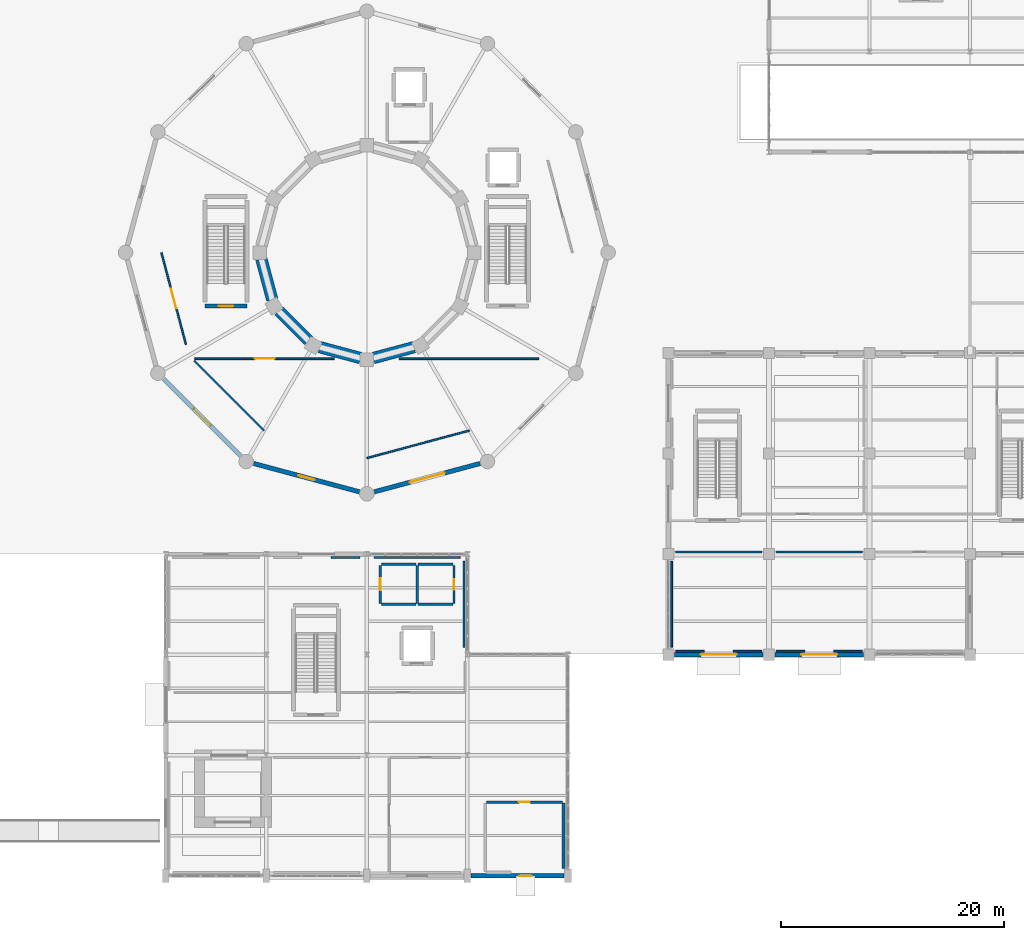
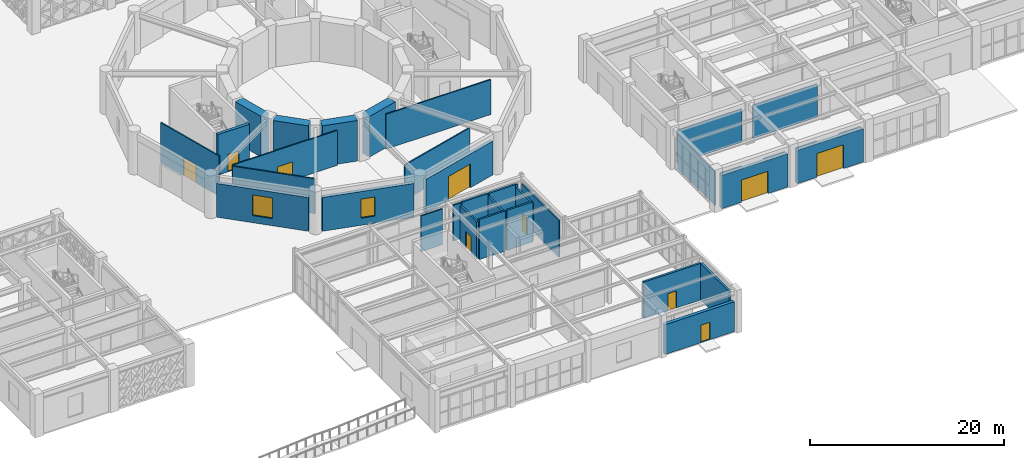
# One storey, part 116 of 140: 35 walls, 10 doors, 2 windows, 12 openings.
"""IFC4 building model written with IfcOpenShell, lengths in metres."""

from ifc_helpers import new_model, si_unit, direction, frame, frame_2d, origin, place, context, subcontext, project, spatial, rectangle, extrude, material, layer, layer_set, type_object, element, fill, save


model = new_model("IFC4")

# Units and contexts
model_context = context("Model", 3, precision=1e-05, world=origin(), true_north=direction((0.0, 1.0)))
body_context = subcontext(model_context, "Body", "Model", "MODEL_VIEW")
ifc_project = project(units=[si_unit("LENGTHUNIT", "METRE"), si_unit("AREAUNIT", "SQUARE_METRE"), si_unit("VOLUMEUNIT", "CUBIC_METRE"), si_unit("PLANEANGLEUNIT", "RADIAN"), si_unit("MASSUNIT", "GRAM", prefix="KILO")], contexts=[model_context])

# Site, building, storey
site_placement = place(None, origin())
site = spatial("IfcSite", under=ifc_project, at=site_placement, CompositionType="ELEMENT")
building_placement = place(site_placement, origin())
building = spatial("IfcBuilding", under=site, at=building_placement, Name="Haizhuo Lancet Aquarium", CompositionType="ELEMENT")
storey_placement = place(building_placement, origin())
storey = spatial("IfcBuildingStorey", under=building, at=storey_placement, Name="L00", CompositionType="ELEMENT", Elevation=0.0)

# Wall, opening, window
ifc_material_1 = material(Name="Shandong Grey Limestone Ashlar", Category="masonry")
ifc_layer_1 = layer(ifc_material_1, 0.39990234375)
ifc_layer_set_1 = layer_set([ifc_layer_1], Name="Shandong Grey Limestone Ashlar")
wall_type_1 = type_object("IfcWallType", Name="EWL-ASH-400", PredefinedType="SOLIDWALL", material=ifc_layer_set_1)
wall_1_placement = place(storey_placement, frame((-11.291015625, -18.215087890625, 0.0), z_axis=(0.0, 0.0, 1.0), x_axis=(-0.707106781187, 0.707106781187, 0.0)))
wall_1 = element("IfcWall", 1, at=wall_1_placement, inside=storey, type_object=wall_type_1, Name="L00 V1 limestone drum wall bay 8", PredefinedType="SOLIDWALL", context=body_context, shape_type="SweptSolid", body=[
    extrude(rectangle(XDim=9.792236328125, YDim=0.39990234375, at=frame_2d((4.89599609375, 0.0))), origin(), (0.0, 0.0, 1.0), 4.2548828125),
])
opening_1_placement = place(wall_1_placement, frame((3.845947265625, 0.0, 0.89990234375)))
opening_1 = element("IfcOpeningElement", 2, at=opening_1_placement, cuts=wall_1, Name="Opening WN-07", PredefinedType="OPENING", context=body_context, shape_type="SweptSolid", body=[
    extrude(rectangle(XDim=2.10009765625, YDim=2.60009765625, at=frame_2d((1.050048828125, 1.300048828125))), frame((0.0, 0.2099609375, 0.0), z_axis=(0.0, -1.0, 0.0), x_axis=(1.0, 0.0, 0.0)), (0.0, 0.0, 1.0), 0.419902),
])
ifc_material_2 = material(Name="Laminated Low-E Glass", Category="glass")
window_type_1 = type_object("IfcWindowType", Name="WIN-LAN-2100x2600", PartitioningType="SINGLE_PANEL", PredefinedType="WINDOW", material=ifc_material_2)
window_1_placement = place(opening_1_placement, origin())
window_1 = element("IfcWindow", 3, at=window_1_placement, inside=storey, type_object=window_type_1, Name="L00 Gothic lancet window 5", OverallHeight=2.60009765625, OverallWidth=2.10009765625, PartitioningType="SINGLE_PANEL", PredefinedType="WINDOW", context=body_context, shape_type="SweptSolid", body=[
    extrude(rectangle(XDim=2.10009765625, YDim=2.60009765625, at=frame_2d((1.050048828125, 1.300048828125))), frame((0.0, 0.030029296875, 0.0), z_axis=(0.0, -1.0, 0.0), x_axis=(1.0, 0.0, 0.0)), (0.0, 0.0, 1.0), 0.06005859375),
])
fill(opening_1, window_1)

wall_2_placement = place(storey_placement, frame((-0.6708984375, -21.419921875, 0.0), z_axis=(0.0, 0.0, 1.0), x_axis=(-0.965934251614, 0.258787599316, 0.0)))
wall_2 = element("IfcWall", 4, at=wall_2_placement, inside=storey, type_object=wall_type_1, Name="L00 V1 limestone drum wall bay 9", PredefinedType="SOLIDWALL", context=body_context, shape_type="SweptSolid", body=[
    extrude(rectangle(XDim=9.79150390625, YDim=0.39990234375, at=frame_2d((4.895751953125, 0.0))), origin(), (0.0, 0.0, 1.0), 4.2548828125),
])
opening_2_placement = place(wall_2_placement, frame((4.14599609375, 0.0, 0.89990234375)))
opening_2 = element("IfcOpeningElement", 5, at=opening_2_placement, cuts=wall_2, Name="Opening WN-04", PredefinedType="OPENING", context=body_context, shape_type="SweptSolid", body=[
    extrude(rectangle(XDim=1.5, YDim=2.39990234375, at=frame_2d((0.75, 1.199951171875))), frame((0.0, 0.2099609375, 0.0), z_axis=(0.0, -1.0, 0.0), x_axis=(1.0, 0.0, 0.0)), (0.0, 0.0, 1.0), 0.419902),
])
window_type_2 = type_object("IfcWindowType", Name="WIN-LAN-1500x2400", PartitioningType="SINGLE_PANEL", PredefinedType="WINDOW", material=ifc_material_2)
window_2_placement = place(opening_2_placement, origin())
window_2 = element("IfcWindow", 6, at=window_2_placement, inside=storey, type_object=window_type_2, Name="L00 Gothic lancet window 6", OverallHeight=2.39990234375, OverallWidth=1.5, PartitioningType="SINGLE_PANEL", PredefinedType="WINDOW", context=body_context, shape_type="SweptSolid", body=[
    extrude(rectangle(XDim=1.5, YDim=2.39990234375, at=frame_2d((0.75, 1.199951171875))), frame((0.0, 0.030029296875, 0.0), z_axis=(0.0, -1.0, 0.0), x_axis=(1.0, 0.0, 0.0)), (0.0, 0.0, 1.0), 0.06005859375),
])
fill(opening_2, window_2)

# Wall, opening, door
wall_3_placement = place(storey_placement, frame((10.12890625, -18.885986328125, 0.0), z_axis=(0.0, 0.0, 1.0), x_axis=(-0.965934251614, -0.258787599316, 0.0)))
wall_3 = element("IfcWall", 7, at=wall_3_placement, inside=storey, type_object=wall_type_1, Name="L00 V1 limestone drum wall bay 10", PredefinedType="SOLIDWALL", context=body_context, shape_type="SweptSolid", body=[
    extrude(rectangle(XDim=9.79150390625, YDim=0.39990234375, at=frame_2d((4.895751953125, 0.0))), origin(), (0.0, 0.0, 1.0), 4.2548828125),
])
opening_3_placement = place(wall_3_placement, frame((3.2958984375, 0.0, 0.0)))
opening_3 = element("IfcOpeningElement", 8, at=opening_3_placement, cuts=wall_3, Name="Opening ED-A", PredefinedType="OPENING", context=body_context, shape_type="SweptSolid", body=[
    extrude(rectangle(XDim=3.199951171875, YDim=3.0, at=frame_2d((1.60009765625, 1.5))), frame((0.0, 0.2099609375, 0.0), z_axis=(0.0, -1.0, 0.0), x_axis=(1.0, 0.0, 0.0)), (0.0, 0.0, 1.0), 0.419902),
])
ifc_material_3 = material(Name="Aluminium 6063-T6", Category="aluminium")
door_type_1 = type_object("IfcDoorType", Name="EDR-PORTAL-3200x3000", OperationType="NOTDEFINED", PredefinedType="DOOR", material=ifc_material_3)
door_1_placement = place(opening_3_placement, origin())
door_1 = element("IfcDoor", 9, at=door_1_placement, inside=storey, type_object=door_type_1, Name="Pedestrian entrance portal ED-01", OperationType="DOUBLE_DOOR_SINGLE_SWING", OverallHeight=3.0, OverallWidth=3.199951171875, PredefinedType="DOOR", context=body_context, shape_type="SweptSolid", body=[
    extrude(rectangle(XDim=3.199951171875, YDim=3.0, at=frame_2d((1.60009765625, 1.5))), frame((0.0, 0.02490234375, 0.0), z_axis=(0.0, -1.0, 0.0), x_axis=(1.0, 0.0, 0.0)), (0.0, 0.0, 1.0), 0.050048828125),
])
fill(opening_3, door_1)

wall_4_placement = place(storey_placement, frame((44.455078125, -36.0, 0.0), z_axis=(0.0, 0.0, 1.0), x_axis=(-1.0, 0.0, 0.0)))
wall_4 = element("IfcWall", 10, at=wall_4_placement, inside=storey, type_object=wall_type_1, Name="L00 V3 pointed-arch limestone entrance portal wall", PredefinedType="SOLIDWALL", context=body_context, shape_type="SweptSolid", body=[
    extrude(rectangle(XDim=7.91015625, YDim=0.39990234375, at=frame_2d((3.955078125, 0.0))), origin(), (0.0, 0.0, 1.0), 4.205078125),
])
opening_4_placement = place(wall_4_placement, frame((2.35498046875, 0.0, 0.0)))
opening_4 = element("IfcOpeningElement", 11, at=opening_4_placement, cuts=wall_4, Name="Opening ED-A", PredefinedType="OPENING", context=body_context, shape_type="SweptSolid", body=[
    extrude(rectangle(XDim=3.199951171875, YDim=3.0, at=frame_2d((1.60009765625, 1.5))), frame((0.0, 0.2099609375, 0.0), z_axis=(0.0, -1.0, 0.0), x_axis=(1.0, 0.0, 0.0)), (0.0, 0.0, 1.0), 0.419902),
])
door_2_placement = place(opening_4_placement, origin())
door_2 = element("IfcDoor", 12, at=door_2_placement, inside=storey, type_object=door_type_1, Name="Ground pedestrian entrance portal ED-11", OperationType="DOUBLE_DOOR_SINGLE_SWING", OverallHeight=3.0, OverallWidth=3.199951171875, PredefinedType="DOOR", context=body_context, shape_type="SweptSolid", body=[
    extrude(rectangle(XDim=3.199951171875, YDim=3.0, at=frame_2d((1.60009765625, 1.5))), frame((0.0, 0.02490234375, 0.0), z_axis=(0.0, -1.0, 0.0), x_axis=(1.0, 0.0, 0.0)), (0.0, 0.0, 1.0), 0.050048828125),
])
fill(opening_4, door_2)

wall_5_placement = place(storey_placement, frame((35.455078125, -36.0, 0.0), z_axis=(0.0, 0.0, 1.0), x_axis=(-1.0, 0.0, 0.0)))
wall_5 = element("IfcWall", 13, at=wall_5_placement, inside=storey, type_object=wall_type_1, Name="L00 V3 pointed-arch limestone entrance portal wall", PredefinedType="SOLIDWALL", context=body_context, shape_type="SweptSolid", body=[
    extrude(rectangle(XDim=7.91015625, YDim=0.39990234375, at=frame_2d((3.955078125, 0.0))), origin(), (0.0, 0.0, 1.0), 4.205078125),
])
opening_5_placement = place(wall_5_placement, frame((2.35498046875, 0.0, 0.0)))
opening_5 = element("IfcOpeningElement", 14, at=opening_5_placement, cuts=wall_5, Name="Opening ED-B", PredefinedType="OPENING", context=body_context, shape_type="SweptSolid", body=[
    extrude(rectangle(XDim=3.199951171875, YDim=2.800048828125, at=frame_2d((1.60009765625, 1.39990234375))), frame((0.0, 0.2099609375, 0.0), z_axis=(0.0, -1.0, 0.0), x_axis=(1.0, 0.0, 0.0)), (0.0, 0.0, 1.0), 0.419902),
])
door_type_2 = type_object("IfcDoorType", Name="EDR-PORTAL-3200x2800", OperationType="NOTDEFINED", PredefinedType="DOOR", material=ifc_material_3)
door_3_placement = place(opening_5_placement, origin())
door_3 = element("IfcDoor", 15, at=door_3_placement, inside=storey, type_object=door_type_2, Name="Ground pedestrian entrance portal ED-12", OperationType="DOUBLE_DOOR_SINGLE_SWING", OverallHeight=2.800048828125, OverallWidth=3.199951171875, PredefinedType="DOOR", context=body_context, shape_type="SweptSolid", body=[
    extrude(rectangle(XDim=3.199951171875, YDim=2.800048828125, at=frame_2d((1.60009765625, 1.39990234375))), frame((0.0, 0.02490234375, 0.0), z_axis=(0.0, -1.0, 0.0), x_axis=(1.0, 0.0, 0.0)), (0.0, 0.0, 1.0), 0.050048828125),
])
fill(opening_5, door_3)

wall_6_placement = place(storey_placement, frame((17.655029296875, -55.800048828125, 0.0), z_axis=(0.0, 0.0, 1.0), x_axis=(-1.0, 0.0, 0.0)))
wall_6 = element("IfcWall", 16, at=wall_6_placement, inside=storey, type_object=wall_type_1, Name="L00 Fire Control Room exterior wall", PredefinedType="SOLIDWALL", context=body_context, shape_type="SweptSolid", body=[
    extrude(rectangle(XDim=8.31005859375, YDim=0.39990234375, at=frame_2d((4.155029296875, 0.0))), origin(), (0.0, 0.0, 1.0), 3.7548828125),
])
opening_6_placement = place(wall_6_placement, frame((2.905029296875, 0.0, 0.0)))
opening_6 = element("IfcOpeningElement", 17, at=opening_6_placement, cuts=wall_6, Name="Opening EX-03", PredefinedType="OPENING", context=body_context, shape_type="SweptSolid", body=[
    extrude(rectangle(XDim=1.10009765625, YDim=2.199951171875, at=frame_2d((0.550048828125, 1.10009765625))), frame((0.0, 0.2099609375, 0.0), z_axis=(0.0, -1.0, 0.0), x_axis=(1.0, 0.0, 0.0)), (0.0, 0.0, 1.0), 0.419902),
])
ifc_material_4 = material(Name="Steel S355", Category="steel")
door_type_3 = type_object("IfcDoorType", Name="EDR-FCR-1100x2200", OperationType="NOTDEFINED", PredefinedType="DOOR", material=ifc_material_4)
door_4_placement = place(opening_6_placement, origin())
door_4 = element("IfcDoor", 18, at=door_4_placement, inside=storey, type_object=door_type_3, Name="Fire Control Room direct exterior exit door", OperationType="SINGLE_SWING_LEFT", OverallHeight=2.199951171875, OverallWidth=1.10009765625, PredefinedType="DOOR", context=body_context, shape_type="SweptSolid", body=[
    extrude(rectangle(XDim=1.10009765625, YDim=2.199951171875, at=frame_2d((0.550048828125, 1.10009765625))), frame((0.0, 0.02490234375, 0.0), z_axis=(0.0, -1.0, 0.0), x_axis=(1.0, 0.0, 0.0)), (0.0, 0.0, 1.0), 0.050048828125),
])
fill(opening_6, door_4)

# Wall
ifc_material_5 = material(Name="Concrete C40/50", Category="concrete")
ifc_layer_2 = layer(ifc_material_5, 0.239990234375)
ifc_layer_set_2 = layer_set([ifc_layer_2], Name="Concrete C40/50")
wall_type_2 = type_object("IfcWallType", Name="IWL-FIRE-240", PredefinedType="PARTITIONING", material=ifc_layer_set_2)
wall_7_placement = place(storey_placement, frame((17.60009765625, -55.14990234375, 0.0), z_axis=(0.0, 0.0, 1.0), x_axis=(0.0, 1.0, 0.0)))
element("IfcWall", 19, at=wall_7_placement, inside=storey, type_object=wall_type_2, Name="L00 partition wall 139", PredefinedType="PARTITIONING", context=body_context, shape_type="SweptSolid", body=[
    extrude(rectangle(XDim=5.849853515625, YDim=0.239990234375, at=frame_2d((2.9248046875, 0.0))), origin(), (0.0, 0.0, 1.0), 4.616943359375),
])

# Wall, opening, door
wall_8_placement = place(storey_placement, frame((17.5, -49.199951171875, 0.0), z_axis=(0.0, 0.0, 1.0), x_axis=(-1.0, 0.0, 0.0)))
wall_8 = element("IfcWall", 20, at=wall_8_placement, inside=storey, type_object=wall_type_2, Name="L00 partition wall 140", PredefinedType="PARTITIONING", context=body_context, shape_type="SweptSolid", body=[
    extrude(rectangle(XDim=6.800048828125, YDim=0.239990234375, at=frame_2d((3.39990234375, 0.0))), origin(), (0.0, 0.0, 1.0), 4.616943359375),
])
opening_7_placement = place(wall_8_placement, frame((2.89990234375, 0.0, 0.0)))
opening_7 = element("IfcOpeningElement", 21, at=opening_7_placement, cuts=wall_8, Name="Opening D-06", PredefinedType="OPENING", context=body_context, shape_type="SweptSolid", body=[
    extrude(rectangle(XDim=1.0, YDim=2.14990234375, at=frame_2d((0.5, 1.074951171875))), frame((0.0, 0.1298828125, 0.0), z_axis=(0.0, -1.0, 0.0), x_axis=(1.0, 0.0, 0.0)), (0.0, 0.0, 1.0), 0.25999),
])
door_type_4 = type_object("IfcDoorType", Name="IDR-OFF-1000x2150", OperationType="NOTDEFINED", PredefinedType="DOOR", material=ifc_material_3)
door_5_placement = place(opening_7_placement, origin())
door_5 = element("IfcDoor", 22, at=door_5_placement, inside=storey, type_object=door_type_4, Name="L00 Fire Control Room door", OperationType="SINGLE_SWING_LEFT", OverallHeight=2.14990234375, OverallWidth=1.0, PredefinedType="DOOR", context=body_context, shape_type="SweptSolid", body=[
    extrude(rectangle(XDim=1.0, YDim=2.14990234375, at=frame_2d((0.5, 1.074951171875))), frame((0.0, 0.02490234375, 0.0), z_axis=(0.0, -1.0, 0.0), x_axis=(1.0, 0.0, 0.0)), (0.0, 0.0, 1.0), 0.050048828125),
])
fill(opening_7, door_5)

ifc_layer_3 = layer(ifc_material_5, 0.219970703125)
ifc_layer_set_3 = layer_set([ifc_layer_3], Name="Concrete C40/50")
wall_type_3 = type_object("IfcWallType", Name="IWL-PLB-220", PredefinedType="PLUMBINGWALL", material=ifc_layer_set_3)
wall_9_placement = place(storey_placement, frame((1.199951171875, -28.0, 0.0), z_axis=(0.0, 0.0, 1.0), x_axis=(0.0, -1.0, 0.0)))
wall_9 = element("IfcWall", 23, at=wall_9_placement, inside=storey, type_object=wall_type_3, Name="L00 partition wall 78", PredefinedType="PLUMBINGWALL", context=body_context, shape_type="SweptSolid", body=[
    extrude(rectangle(XDim=3.39990234375, YDim=0.219970703125, at=frame_2d((1.699951171875, 0.0))), origin(), (0.0, 0.0, 1.0), 4.705078125),
])
opening_8_placement = place(wall_9_placement, frame((1.175048828125, 0.0, 0.0)))
opening_8 = element("IfcOpeningElement", 24, at=opening_8_placement, cuts=wall_9, Name="Opening D-08", PredefinedType="OPENING", context=body_context, shape_type="SweptSolid", body=[
    extrude(rectangle(XDim=1.050048828125, YDim=2.14990234375, at=frame_2d((0.52490234375, 1.074951171875))), frame((0.0, 0.119873046875, 0.0), z_axis=(0.0, -1.0, 0.0), x_axis=(1.0, 0.0, 0.0)), (0.0, 0.0, 1.0), 0.239971),
])
door_type_5 = type_object("IfcDoorType", Name="IDR-AWC-1050x2150", OperationType="NOTDEFINED", PredefinedType="DOOR", material=ifc_material_3)
door_6_placement = place(opening_8_placement, origin())
door_6 = element("IfcDoor", 25, at=door_6_placement, inside=storey, type_object=door_type_5, Name="L00 Ground Accessible WC door", OperationType="SINGLE_SWING_LEFT", OverallHeight=2.14990234375, OverallWidth=1.050048828125, PredefinedType="DOOR", context=body_context, shape_type="SweptSolid", body=[
    extrude(rectangle(XDim=1.050048828125, YDim=2.14990234375, at=frame_2d((0.52490234375, 1.074951171875))), frame((0.0, 0.02490234375, 0.0), z_axis=(0.0, -1.0, 0.0), x_axis=(1.0, 0.0, 0.0)), (0.0, 0.0, 1.0), 0.050048828125),
])
fill(opening_8, door_6)

# Walls
wall_10_placement = place(storey_placement, frame((1.300048828125, -31.5, 0.0), z_axis=(0.0, 0.0, 1.0), x_axis=(1.0, 0.0, 0.0)))
element("IfcWall", 26, at=wall_10_placement, inside=storey, type_object=wall_type_3, Name="L00 partition wall 79", PredefinedType="PLUMBINGWALL", context=body_context, shape_type="SweptSolid", body=[
    extrude(rectangle(XDim=3.099853515625, YDim=0.219970703125, at=frame_2d((1.5498046875, 0.0))), origin(), (0.0, 0.0, 1.0), 5.050048828125),
])
wall_11_placement = place(storey_placement, frame((4.5, -31.39990234375, 0.0), z_axis=(0.0, 0.0, 1.0), x_axis=(0.0, 1.0, 0.0)))
element("IfcWall", 27, at=wall_11_placement, inside=storey, type_object=wall_type_3, Name="L00 partition wall 80", PredefinedType="PLUMBINGWALL", context=body_context, shape_type="SweptSolid", body=[
    extrude(rectangle(XDim=3.39990234375, YDim=0.219970703125, at=frame_2d((1.699951171875, 0.0))), origin(), (0.0, 0.0, 1.0), 4.705078125),
])
for number, where, z_axis, x_axis, name in (
    (28, (4.39990234375, -27.89990234375, 0.0), (0.0, 0.0, 1.0), (-1.0, 0.0, 0.0), "L00 partition wall 81"),
    (29, (4.60009765625, -31.5, 0.0), (0.0, 0.0, 1.0), (1.0, 0.0, 0.0), "L00 partition wall 82"),
):
    element("IfcWall", number, at=place(storey_placement, frame(where, z_axis=z_axis, x_axis=x_axis)), inside=storey, type_object=wall_type_3, Name=name, PredefinedType="PLUMBINGWALL", context=body_context, shape_type="SweptSolid", body=[
        extrude(rectangle(XDim=3.099853515625, YDim=0.219970703125, at=frame_2d((1.5498046875, 0.0))), origin(), (0.0, 0.0, 1.0), 5.050048828125),
    ])

# Wall, opening, door
wall_12_placement = place(storey_placement, frame((7.800048828125, -31.39990234375, 0.0), z_axis=(0.0, 0.0, 1.0), x_axis=(0.0, 1.0, 0.0)))
wall_12 = element("IfcWall", 30, at=wall_12_placement, inside=storey, type_object=wall_type_3, Name="L00 partition wall 83", PredefinedType="PLUMBINGWALL", context=body_context, shape_type="SweptSolid", body=[
    extrude(rectangle(XDim=3.39990234375, YDim=0.219970703125, at=frame_2d((1.699951171875, 0.0))), origin(), (0.0, 0.0, 1.0), 4.705078125),
])
opening_9_placement = place(wall_12_placement, frame((1.22509765625, 0.0, 0.0)))
opening_9 = element("IfcOpeningElement", 31, at=opening_9_placement, cuts=wall_12, Name="Opening D-07", PredefinedType="OPENING", context=body_context, shape_type="SweptSolid", body=[
    extrude(rectangle(XDim=0.949951171875, YDim=2.14990234375, at=frame_2d((0.47509765625, 1.074951171875))), frame((0.0, 0.119873046875, 0.0), z_axis=(0.0, -1.0, 0.0), x_axis=(1.0, 0.0, 0.0)), (0.0, 0.0, 1.0), 0.239971),
])
door_type_6 = type_object("IfcDoorType", Name="IDR-WC-950x2150", OperationType="NOTDEFINED", PredefinedType="DOOR", material=ifc_material_3)
door_7_placement = place(opening_9_placement, origin())
door_7 = element("IfcDoor", 32, at=door_7_placement, inside=storey, type_object=door_type_6, Name="L00 Ground Public WC door", OperationType="SINGLE_SWING_RIGHT", OverallHeight=2.14990234375, OverallWidth=0.949951171875, PredefinedType="DOOR", context=body_context, shape_type="SweptSolid", body=[
    extrude(rectangle(XDim=0.949951171875, YDim=2.14990234375, at=frame_2d((0.47509765625, 1.074951171875))), frame((0.0, 0.02490234375, 0.0), z_axis=(0.0, -1.0, 0.0), x_axis=(1.0, 0.0, 0.0)), (0.0, 0.0, 1.0), 0.050048828125),
])
fill(opening_9, door_7)

# Wall
wall_13_placement = place(storey_placement, frame((7.699951171875, -27.89990234375, 0.0), z_axis=(0.0, 0.0, 1.0), x_axis=(-1.0, 0.0, 0.0)))
element("IfcWall", 33, at=wall_13_placement, inside=storey, type_object=wall_type_3, Name="L00 partition wall 84", PredefinedType="PLUMBINGWALL", context=body_context, shape_type="SweptSolid", body=[
    extrude(rectangle(XDim=3.099853515625, YDim=0.219970703125, at=frame_2d((1.5498046875, 0.0))), origin(), (0.0, 0.0, 1.0), 5.050048828125),
])

# Wall, opening, door
ifc_material_6 = material(Name="Gypsum Fireboard Partition")
ifc_layer_4 = layer(ifc_material_6, 0.14990234375)
ifc_layer_set_4 = layer_set([ifc_layer_4], Name="Gypsum Fireboard Partition")
wall_type_4 = type_object("IfcWallType", Name="IWL-STD-150", PredefinedType="PARTITIONING", material=ifc_layer_set_4)
wall_14_placement = place(storey_placement, frame((-2.89794921875, -9.5, 0.0), z_axis=(0.0, 0.0, 1.0), x_axis=(-1.0, 0.0, 0.0)))
wall_14 = element("IfcWall", 34, at=wall_14_placement, inside=storey, type_object=wall_type_4, Name="L00 partition wall 85", PredefinedType="PARTITIONING", context=body_context, shape_type="SweptSolid", body=[
    extrude(rectangle(XDim=12.49609375, YDim=0.14990234375, at=frame_2d((6.248046875, 0.0))), origin(), (0.0, 0.0, 1.0), 4.405029296875),
])
opening_10_placement = place(wall_14_placement, frame((5.347900390625, 0.0, 0.0)))
opening_10 = element("IfcOpeningElement", 35, at=opening_10_placement, cuts=wall_14, Name="Opening D-02", PredefinedType="OPENING", context=body_context, shape_type="SweptSolid", body=[
    extrude(rectangle(XDim=1.800048828125, YDim=2.300048828125, at=frame_2d((0.89990234375, 1.14990234375))), frame((0.0, 0.0849609375, 0.0), z_axis=(0.0, -1.0, 0.0), x_axis=(1.0, 0.0, 0.0)), (0.0, 0.0, 1.0), 0.169902),
])
door_type_7 = type_object("IfcDoorType", Name="IDR-GAL-1800x2300", OperationType="NOTDEFINED", PredefinedType="DOOR", material=ifc_material_3)
door_8_placement = place(opening_10_placement, origin())
door_8 = element("IfcDoor", 36, at=door_8_placement, inside=storey, type_object=door_type_7, Name="L00 Ocean Tank Lower Pelagic Viewing Hall door", OperationType="DOUBLE_DOOR_SINGLE_SWING", OverallHeight=2.300048828125, OverallWidth=1.800048828125, PredefinedType="DOOR", context=body_context, shape_type="SweptSolid", body=[
    extrude(rectangle(XDim=1.800048828125, YDim=2.300048828125, at=frame_2d((0.89990234375, 1.14990234375))), frame((0.0, 0.02490234375, 0.0), z_axis=(0.0, -1.0, 0.0), x_axis=(1.0, 0.0, 0.0)), (0.0, 0.0, 1.0), 0.050048828125),
])
fill(opening_10, door_8)

# Walls
wall_15_placement = place(storey_placement, frame((-15.464111328125, -9.6708984375, 0.0), z_axis=(0.0, 0.0, 1.0), x_axis=(0.707492350524, -0.706721001493, 0.0)))
element("IfcWall", 37, at=wall_15_placement, inside=storey, type_object=wall_type_4, Name="L00 partition wall 86", PredefinedType="PARTITIONING", context=body_context, shape_type="SweptSolid", body=[
    extrude(rectangle(XDim=8.8623046875, YDim=0.14990234375, at=frame_2d((4.43115234375, 0.0))), origin(), (0.0, 0.0, 1.0), 4.405029296875),
])
wall_16_placement = place(storey_placement, frame((0.0048828125, -18.39599609375, 0.0), z_axis=(0.0, 0.0, 1.0), x_axis=(0.965934420683, 0.258786968256, 0.0)))
element("IfcWall", 38, at=wall_16_placement, inside=storey, type_object=wall_type_4, Name="L00 partition wall 87", PredefinedType="PARTITIONING", context=body_context, shape_type="SweptSolid", body=[
    extrude(rectangle(XDim=9.51318359375, YDim=0.14990234375, at=frame_2d((4.756591796875, 0.0))), origin(), (0.0, 0.0, 1.0), 4.405029296875),
])
wall_17_placement = place(storey_placement, frame((15.39404296875, -9.5, 0.0), z_axis=(0.0, 0.0, 1.0), x_axis=(-1.0, 0.0, 0.0)))
element("IfcWall", 39, at=wall_17_placement, inside=storey, type_object=wall_type_4, Name="L00 partition wall 88", PredefinedType="PARTITIONING", context=body_context, shape_type="SweptSolid", body=[
    extrude(rectangle(XDim=12.49609375, YDim=0.14990234375, at=frame_2d((6.248046875, 0.0))), origin(), (0.0, 0.0, 1.0), 4.405029296875),
])

# Wall, opening, door
wall_18_placement = place(storey_placement, frame((-18.39599609375, -0.0048828125, 0.0), z_axis=(0.0, 0.0, 1.0), x_axis=(0.258450171781, -0.966024590115, 0.0)))
wall_18 = element("IfcWall", 40, at=wall_18_placement, inside=storey, type_object=wall_type_4, Name="L00 partition wall 89", PredefinedType="PARTITIONING", context=body_context, shape_type="SweptSolid", body=[
    extrude(rectangle(XDim=8.50830078125, YDim=0.14990234375, at=frame_2d((4.254150390625, 0.0))), origin(), (0.0, 0.0, 1.0), 5.050048828125),
])
opening_11_placement = place(wall_18_placement, frame((3.35400390625, 0.0, 0.0)))
opening_11 = element("IfcOpeningElement", 41, at=opening_11_placement, cuts=wall_18, Name="Opening D-02", PredefinedType="OPENING", context=body_context, shape_type="SweptSolid", body=[
    extrude(rectangle(XDim=1.800048828125, YDim=2.300048828125, at=frame_2d((0.89990234375, 1.14990234375))), frame((0.0, 0.0849609375, 0.0), z_axis=(0.0, -1.0, 0.0), x_axis=(1.0, 0.0, 0.0)), (0.0, 0.0, 1.0), 0.169902),
])
door_9_placement = place(opening_11_placement, origin())
door_9 = element("IfcDoor", 42, at=door_9_placement, inside=storey, type_object=door_type_7, Name="L00 Ocean Tank Lower Pelagic Viewing Hall door", OperationType="DOUBLE_DOOR_SINGLE_SWING", OverallHeight=2.300048828125, OverallWidth=1.800048828125, PredefinedType="DOOR", context=body_context, shape_type="SweptSolid", body=[
    extrude(rectangle(XDim=1.800048828125, YDim=2.300048828125, at=frame_2d((0.89990234375, 1.14990234375))), frame((0.0, 0.02490234375, 0.0), z_axis=(0.0, -1.0, 0.0), x_axis=(1.0, 0.0, 0.0)), (0.0, 0.0, 1.0), 0.050048828125),
])
fill(opening_11, door_9)

# Walls
wall_19_placement = place(storey_placement, frame((27.300048828125, -27.64990234375, 0.0), z_axis=(0.0, 0.0, 1.0), x_axis=(0.0, -1.0, 0.0)))
element("IfcWall", 43, at=wall_19_placement, inside=storey, type_object=wall_type_4, Name="L00 partition wall 117", PredefinedType="PARTITIONING", context=body_context, shape_type="SweptSolid", body=[
    extrude(rectangle(XDim=7.7001953125, YDim=0.14990234375, at=frame_2d((3.85009765625, 0.0))), origin(), (0.0, 0.0, 1.0), 4.2548828125),
])
wall_20_placement = place(storey_placement, frame((27.639892578125, -35.696044921875, 0.0), z_axis=(0.0, 0.0, 1.0), x_axis=(0.999999926446, -0.000383545853, 0.0)))
element("IfcWall", 44, at=wall_20_placement, inside=storey, type_object=wall_type_4, Name="L00 partition wall 118", PredefinedType="PARTITIONING", context=body_context, shape_type="SweptSolid", body=[
    extrude(rectangle(XDim=2.546142578125, YDim=0.14990234375, at=frame_2d((1.27294921875, 0.0))), origin(), (0.0, 0.0, 1.0), 4.205078125),
])
for number, where, z_axis, x_axis, name in (
    (45, (32.81494140625, -35.698974609375, 0.0), (0.0, 0.0, 1.0), (0.999999925807, -0.000385207984, 0.0), "L00 partition wall 119"),
    (46, (36.64990234375, -35.699951171875, 0.0), (0.0, 0.0, 1.0), (1.0, 0.0, 0.0), "L00 partition wall 120"),
    (47, (41.81494140625, -35.699951171875, 0.0), (0.0, 0.0, 1.0), (1.0, 0.0, 0.0), "L00 partition wall 121"),
):
    element("IfcWall", number, at=place(storey_placement, frame(where, z_axis=z_axis, x_axis=x_axis)), inside=storey, type_object=wall_type_4, Name=name, PredefinedType="PARTITIONING", context=body_context, shape_type="SweptSolid", body=[
        extrude(rectangle(XDim=2.53515625, YDim=0.14990234375, at=frame_2d((1.267578125, 0.0))), origin(), (0.0, 0.0, 1.0), 4.205078125),
    ])
for number, where, z_axis, x_axis, name in (
    (48, (44.360107421875, -26.800048828125, 0.0), (0.0, 0.0, 1.0), (-1.0, 0.0, 0.0), "L00 partition wall 125"),
    (49, (35.360107421875, -26.800048828125, 0.0), (0.0, 0.0, 1.0), (-1.0, 0.0, 0.0), "L00 partition wall 126"),
):
    element("IfcWall", number, at=place(storey_placement, frame(where, z_axis=z_axis, x_axis=x_axis)), inside=storey, type_object=wall_type_4, Name=name, PredefinedType="PARTITIONING", context=body_context, shape_type="SweptSolid", body=[
        extrude(rectangle(XDim=7.710205078125, YDim=0.14990234375, at=frame_2d((3.85498046875, 0.0))), origin(), (0.0, 0.0, 1.0), 4.205078125),
    ])
wall_21_placement = place(storey_placement, frame((8.699951171875, -35.35009765625, 0.0), z_axis=(0.0, 0.0, 1.0), x_axis=(-0.00050663367, 0.999999871661, 0.0)))
element("IfcWall", 50, at=wall_21_placement, inside=storey, type_object=wall_type_4, Name="L00 partition wall 147", PredefinedType="PARTITIONING", context=body_context, shape_type="SweptSolid", body=[
    extrude(rectangle(XDim=7.710205078125, YDim=0.14990234375, at=frame_2d((3.85498046875, 0.0))), origin(), (0.0, 0.0, 1.0), 4.616943359375),
])
wall_22_placement = place(storey_placement, frame((8.35009765625, -27.300048828125, 0.0), z_axis=(0.0, 0.0, 1.0), x_axis=(-1.0, 0.0, 0.0)))
element("IfcWall", 51, at=wall_22_placement, inside=storey, type_object=wall_type_4, Name="L00 partition wall 148", PredefinedType="PARTITIONING", context=body_context, shape_type="SweptSolid", body=[
    extrude(rectangle(XDim=7.7001953125, YDim=0.14990234375, at=frame_2d((3.85009765625, 0.0))), origin(), (0.0, 0.0, 1.0), 4.51708984375),
])
wall_23_placement = place(storey_placement, frame((-0.64990234375, -27.300048828125, 0.0), z_axis=(0.0, 0.0, 1.0), x_axis=(-1.0, 0.0, 0.0)))
element("IfcWall", 52, at=wall_23_placement, inside=storey, type_object=wall_type_4, Name="L00 partition wall 149", PredefinedType="PARTITIONING", context=body_context, shape_type="SweptSolid", body=[
    extrude(rectangle(XDim=2.53515625, YDim=0.14990234375, at=frame_2d((1.267578125, 0.0))), origin(), (0.0, 0.0, 1.0), 4.51708984375),
])

# Wall, opening, door
ifc_layer_5 = layer(ifc_material_5, 0.35009765625)
ifc_layer_set_5 = layer_set([ifc_layer_5], Name="Concrete C40/50")
wall_type_5 = type_object("IfcWallType", Name="WL-CORE-350", PredefinedType="SHEAR", material=ifc_layer_set_5)
wall_24_placement = place(storey_placement, frame((-10.72509765625, -4.77490234375, 0.0), z_axis=(0.0, 0.0, 1.0), x_axis=(-1.0, 0.0, 0.0)))
wall_24 = element("IfcWall", 53, at=wall_24_placement, inside=storey, type_object=wall_type_5, Name="L00 ST-01 core shear wall S", PredefinedType="SHEAR", context=body_context, shape_type="SweptSolid", body=[
    extrude(rectangle(XDim=3.75, YDim=0.35009765625, at=frame_2d((1.875, 0.0))), origin(), (0.0, 0.0, 1.0), 5.1201171875),
])
opening_12_placement = place(wall_24_placement, frame((1.22509765625, 0.0, 0.0)))
opening_12 = element("IfcOpeningElement", 54, at=opening_12_placement, cuts=wall_24, Name="Opening FD-02", PredefinedType="OPENING", context=body_context, shape_type="SweptSolid", body=[
    extrude(rectangle(XDim=1.300048828125, YDim=2.199951171875, at=frame_2d((0.64990234375, 1.10009765625))), frame((0.0, 0.18505859375, 0.0), z_axis=(0.0, -1.0, 0.0), x_axis=(1.0, 0.0, 0.0)), (0.0, 0.0, 1.0), 0.370098),
])
door_type_8 = type_object("IfcDoorType", Name="IDR-STAIR-1300x2200", OperationType="NOTDEFINED", PredefinedType="DOOR", material=ifc_material_4)
door_10_placement = place(opening_12_placement, origin())
door_10 = element("IfcDoor", 55, at=door_10_placement, inside=storey, type_object=door_type_8, Name="L00 ST-01 stairwell fire door", OperationType="SINGLE_SWING_RIGHT", OverallHeight=2.199951171875, OverallWidth=1.300048828125, PredefinedType="DOOR", context=body_context, shape_type="SweptSolid", body=[
    extrude(rectangle(XDim=1.300048828125, YDim=2.199951171875, at=frame_2d((0.64990234375, 1.10009765625))), frame((0.0, 0.02490234375, 0.0), z_axis=(0.0, -1.0, 0.0), x_axis=(1.0, 0.0, 0.0)), (0.0, 0.0, 1.0), 0.050048828125),
])
fill(opening_12, door_10)

# Walls
ifc_material_7 = material(Name="Concrete C45/55", Category="concrete")
ifc_layer_6 = layer(ifc_material_7, 1.050048828125)
ifc_layer_set_6 = layer_set([ifc_layer_6], Name="Concrete C45/55")
wall_type_6 = type_object("IfcWallType", Name="WL-TANK-1050", PredefinedType="SHEAR", material=ifc_layer_set_6)
wall_25_placement = place(storey_placement, frame((-9.445068359375, -0.580078125, 0.0), z_axis=(0.0, 0.0, 1.0), x_axis=(0.259009169026, -0.965874862682, 0.0)))
element("IfcWall", 56, at=wall_25_placement, inside=storey, type_object=wall_type_6, Name="L00 Pelagic Ocean Tank hydrostatic wall chord 7", PredefinedType="SHEAR", context=body_context, shape_type="SweptSolid", body=[
    extrude(rectangle(XDim=3.7685546875, YDim=1.050048828125, at=frame_2d((1.88427734375, 0.0))), origin(), (0.0, 0.0, 1.0), 5.1201171875),
])
wall_26_placement = place(storey_placement, frame((-7.889892578125, -5.22412109375, 0.0), z_axis=(0.0, 0.0, 1.0), x_axis=(0.707106781187, -0.707106781187, 0.0)))
element("IfcWall", 57, at=wall_26_placement, inside=storey, type_object=wall_type_6, Name="L00 Pelagic Ocean Tank hydrostatic wall chord 8", PredefinedType="SHEAR", context=body_context, shape_type="SweptSolid", body=[
    extrude(rectangle(XDim=3.77001953125, YDim=1.050048828125, at=frame_2d((1.885009765625, 0.0))), origin(), (0.0, 0.0, 1.0), 5.1201171875),
])
for number, where, z_axis, x_axis, name in (
    (58, (-4.219970703125, -8.468994140625, 0.0), (0.0, 0.0, 1.0), (0.965874862682, -0.259009169026, 0.0), "L00 Pelagic Ocean Tank hydrostatic wall chord 9"),
    (59, (0.580078125, -9.445068359375, 0.0), (0.0, 0.0, 1.0), (0.965874862682, 0.259009169026, 0.0), "L00 Pelagic Ocean Tank hydrostatic wall chord 10"),
):
    element("IfcWall", number, at=place(storey_placement, frame(where, z_axis=z_axis, x_axis=x_axis)), inside=storey, type_object=wall_type_6, Name=name, PredefinedType="SHEAR", context=body_context, shape_type="SweptSolid", body=[
        extrude(rectangle(XDim=3.7685546875, YDim=1.050048828125, at=frame_2d((1.88427734375, 0.0))), origin(), (0.0, 0.0, 1.0), 5.1201171875),
    ])

save(model, "model.ifc")
